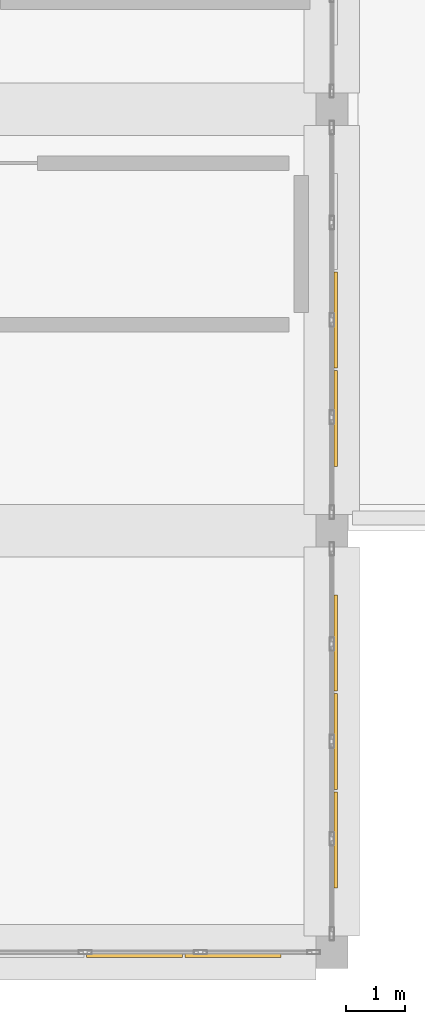
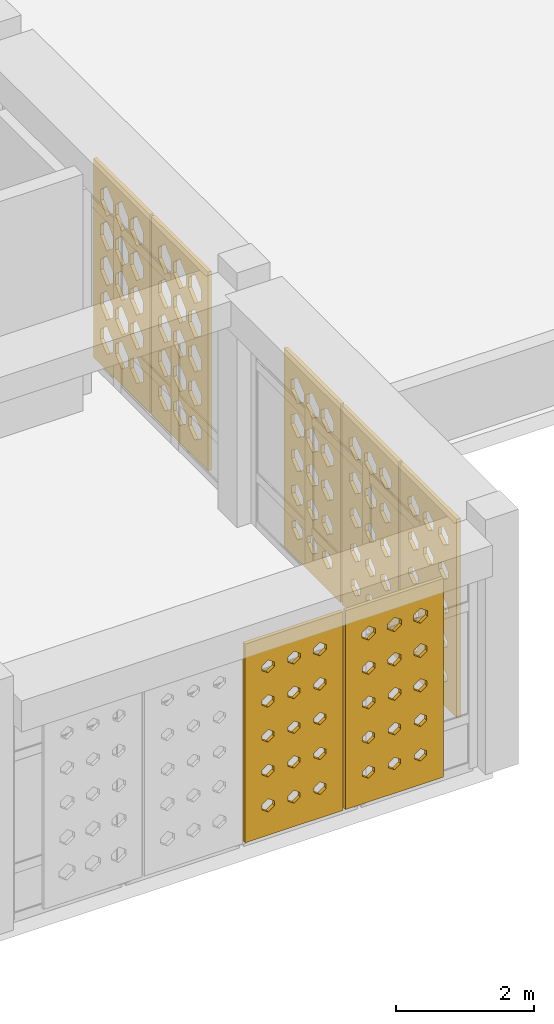
# One storey, part 107 of 111: 7 coverings.
"""IFC4 building model written with IfcOpenShell, lengths in metres."""

from ifc_helpers import new_model, si_unit, derived_unit, direction, frame, origin, place, context, subcontext, project, spatial, polyline, outline, extrude, material, layer, layer_set, type_object, element, save


model = new_model("IFC4")

# Units and contexts
model_context = context("Model", 3, precision=1e-05, world=origin(), true_north=direction((0.0, 1.0)))
body_context = subcontext(model_context, "Body", "Model", "MODEL_VIEW")
ifc_project = project(units=[si_unit("LENGTHUNIT", "METRE"), si_unit("AREAUNIT", "SQUARE_METRE"), si_unit("VOLUMEUNIT", "CUBIC_METRE"), si_unit("PLANEANGLEUNIT", "RADIAN"), si_unit("MASSUNIT", "GRAM", prefix="KILO"), derived_unit("THERMALTRANSMITTANCEUNIT", [(si_unit("POWERUNIT", "WATT"), 1), (si_unit("LENGTHUNIT", "METRE"), -2), (si_unit("THERMODYNAMICTEMPERATUREUNIT", "KELVIN"), -1)])], contexts=[model_context])

# Site, building, storey
site_placement = place(None, origin())
site = spatial("IfcSite", under=ifc_project, at=site_placement, CompositionType="ELEMENT")
building_placement = place(site_placement, origin())
building = spatial("IfcBuilding", under=site, at=building_placement, Name="Veybourne Emporium", CompositionType="ELEMENT")
storey_placement = place(building_placement, frame((0.0, 0.0, 9.89990234375)))
storey = spatial("IfcBuildingStorey", under=building, at=storey_placement, Name="L02", CompositionType="ELEMENT", Elevation=9.89990234375)

# Coverings
ifc_material = material(Name="Warm-White Perforated Aluminium Screen Alloy", Category="aluminium")
ifc_layer_1 = layer(ifc_material, 0.06005859375)
ifc_layer_set_1 = layer_set([ifc_layer_1], Name="Warm-White Perforated Aluminium Screen Alloy")
covering_type_1 = type_object("IfcCoveringType", Name="WaveScreen_SCR-01", PredefinedType="CLADDING", material=ifc_layer_set_1)
covering_1_placement = place(storey_placement, frame((147.827392578125, -0.093994140625, 1.815185546875), z_axis=(0.0, 1.0, 0.0), x_axis=(-1.0, 0.0, 0.0)))
element("IfcCovering", 1, at=covering_1_placement, inside=storey, type_object=covering_type_1, Name="L02 wave-perforated aluminium screen SCR-01 (72C.2)", PredefinedType="CLADDING", context=body_context, shape_type="SweptSolid", body=[
    extrude(outline(polyline([(-0.81982421875, -1.7548828125), (0.81982421875, -1.7548828125), (0.81982421875, 1.7548828125), (-0.81982421875, 1.7548828125), (-0.81982421875, -1.7548828125)]), holes=[polyline([(-0.433349609375, -1.11572265625), (-0.33154296875, -1.1875), (-0.33154296875, -1.268310546875), (-0.433349609375, -1.340087890625), (-0.53515625, -1.268310546875), (-0.53515625, -1.1875), (-0.433349609375, -1.11572265625)]), polyline([(-0.433349609375, -0.50390625), (-0.333251953125, -0.57421875), (-0.333251953125, -0.65380859375), (-0.433349609375, -0.72412109375), (-0.533447265625, -0.65380859375), (-0.533447265625, -0.57421875), (-0.433349609375, -0.50390625)]), polyline([(-0.433349609375, 0.110595703125), (-0.3330078125, 0.039794921875), (-0.3330078125, -0.039794921875), (-0.433349609375, -0.110595703125), (-0.53369140625, -0.039794921875), (-0.53369140625, 0.039794921875), (-0.433349609375, 0.110595703125)]), polyline([(-0.433349609375, 0.727294921875), (-0.330810546875, 0.65478515625), (-0.330810546875, 0.5732421875), (-0.433349609375, 0.500732421875), (-0.535888671875, 0.5732421875), (-0.535888671875, 0.65478515625), (-0.433349609375, 0.727294921875)]), polyline([(-0.433349609375, 1.346435546875), (-0.326416015625, 1.2705078125), (-0.326416015625, 1.185302734375), (-0.433349609375, 1.109619140625), (-0.540283203125, 1.185302734375), (-0.540283203125, 1.2705078125), (-0.433349609375, 1.346435546875)]), polyline([(0.0, -1.114013671875), (0.103271484375, -1.18701171875), (0.103271484375, -1.26904296875), (0.0, -1.342041015625), (-0.103271484375, -1.26904296875), (-0.103271484375, -1.18701171875), (0.0, -1.114013671875)]), polyline([(0.0, -0.503173828125), (0.1005859375, -0.57421875), (0.1005859375, -0.65380859375), (0.0, -0.724853515625), (-0.1005859375, -0.65380859375), (-0.1005859375, -0.57421875), (0.0, -0.503173828125)]), polyline([(0.0, 0.110107421875), (0.10009765625, 0.03955078125), (0.10009765625, -0.03955078125), (0.0, -0.110107421875), (-0.10009765625, -0.03955078125), (-0.10009765625, 0.03955078125), (0.0, 0.110107421875)]), polyline([(0.0, 0.7255859375), (0.101318359375, 0.654296875), (0.101318359375, 0.57373046875), (0.0, 0.502197265625), (-0.101318359375, 0.57373046875), (-0.101318359375, 0.654296875), (0.0, 0.7255859375)]), polyline([(0.0, 1.34375), (0.104736328125, 1.269775390625), (0.104736328125, 1.186279296875), (0.0, 1.1123046875), (-0.104736328125, 1.186279296875), (-0.104736328125, 1.269775390625), (0.0, 1.34375)]), polyline([(0.433349609375, -1.11181640625), (0.538330078125, -1.186279296875), (0.538330078125, -1.269775390625), (0.433349609375, -1.34423828125), (0.328369140625, -1.269775390625), (0.328369140625, -1.186279296875), (0.433349609375, -1.11181640625)]), polyline([(0.433349609375, -0.502197265625), (0.534912109375, -0.57373046875), (0.534912109375, -0.654296875), (0.433349609375, -0.725830078125), (0.331787109375, -0.654296875), (0.331787109375, -0.57373046875), (0.433349609375, -0.502197265625)]), polyline([(0.433349609375, 0.110107421875), (0.533447265625, 0.03955078125), (0.533447265625, -0.03955078125), (0.433349609375, -0.110107421875), (0.333251953125, -0.03955078125), (0.333251953125, 0.03955078125), (0.433349609375, 0.110107421875)]), polyline([(0.433349609375, 0.724609375), (0.533935546875, 0.65380859375), (0.533935546875, 0.57421875), (0.433349609375, 0.50341796875), (0.332763671875, 0.57421875), (0.332763671875, 0.65380859375), (0.433349609375, 0.724609375)]), polyline([(0.433349609375, 1.341552734375), (0.536376953125, 1.268798828125), (0.536376953125, 1.18701171875), (0.433349609375, 1.114501953125), (0.330322265625, 1.18701171875), (0.330322265625, 1.268798828125), (0.433349609375, 1.341552734375)])]), origin(), (0.0, 0.0, 1.0), 0.06005859375),
])
covering_2_placement = place(storey_placement, frame((151.29541015625, 5.280029296875, 1.815185546875), z_axis=(-1.0, 0.0, 0.0), x_axis=(0.0, -1.0, 0.0)))
element("IfcCovering", 2, at=covering_2_placement, inside=storey, type_object=covering_type_1, Name="L02 wave-perforated aluminium screen SCR-01 (73C.1)", PredefinedType="CLADDING", context=body_context, shape_type="SweptSolid", body=[
    extrude(outline(polyline([(-0.81982421875, -1.7548828125), (0.81982421875, -1.7548828125), (0.81982421875, 1.7548828125), (-0.81982421875, 1.7548828125), (-0.81982421875, -1.7548828125)]), holes=[polyline([(-0.433349609375, -1.0537109375), (-0.28076171875, -1.165283203125), (-0.28076171875, -1.290771484375), (-0.433349609375, -1.402099609375), (-0.5859375, -1.290771484375), (-0.5859375, -1.165283203125), (-0.433349609375, -1.0537109375)]), polyline([(-0.433349609375, -0.42578125), (-0.269287109375, -0.546142578125), (-0.269287109375, -0.681884765625), (-0.433349609375, -0.80224609375), (-0.597412109375, -0.681884765625), (-0.597412109375, -0.546142578125), (-0.433349609375, -0.42578125)]), polyline([(-0.433349609375, 0.202392578125), (-0.2578125, 0.072998046875), (-0.2578125, -0.072998046875), (-0.433349609375, -0.202392578125), (-0.60888671875, -0.072998046875), (-0.60888671875, 0.072998046875), (-0.433349609375, 0.202392578125)]), polyline([(-0.433349609375, 0.830322265625), (-0.2470703125, 0.69189453125), (-0.2470703125, 0.5361328125), (-0.433349609375, 0.397705078125), (-0.61962890625, 0.5361328125), (-0.61962890625, 0.69189453125), (-0.433349609375, 0.830322265625)]), polyline([(-0.433349609375, 1.45751953125), (-0.2470703125, 1.310546875), (-0.2470703125, 1.1455078125), (-0.433349609375, 0.99853515625), (-0.61962890625, 1.1455078125), (-0.61962890625, 1.310546875), (-0.433349609375, 1.45751953125)]), polyline([(0.0, -1.06005859375), (0.1474609375, -1.16748046875), (0.1474609375, -1.28857421875), (0.0, -1.39599609375), (-0.1474609375, -1.28857421875), (-0.1474609375, -1.16748046875), (0.0, -1.06005859375)]), polyline([(0.0, -0.43212890625), (0.15869140625, -0.548583984375), (0.15869140625, -0.679443359375), (0.0, -0.7958984375), (-0.15869140625, -0.679443359375), (-0.15869140625, -0.548583984375), (0.0, -0.43212890625)]), polyline([(0.0, 0.196044921875), (0.17041015625, 0.070556640625), (0.17041015625, -0.070556640625), (0.0, -0.196044921875), (-0.17041015625, -0.070556640625), (-0.17041015625, 0.070556640625), (0.0, 0.196044921875)]), polyline([(0.0, 0.82421875), (0.181884765625, 0.689697265625), (0.181884765625, 0.538330078125), (0.0, 0.40380859375), (-0.181884765625, 0.538330078125), (-0.181884765625, 0.689697265625), (0.0, 0.82421875)]), polyline([(0.0, 1.45166015625), (0.186279296875, 1.30859375), (0.186279296875, 1.1474609375), (0.0, 1.00439453125), (-0.186279296875, 1.1474609375), (-0.186279296875, 1.30859375), (0.0, 1.45166015625)]), polyline([(0.433349609375, -1.066162109375), (0.57568359375, -1.169677734375), (0.57568359375, -1.286376953125), (0.433349609375, -1.389892578125), (0.290771484375, -1.286376953125), (0.290771484375, -1.169677734375), (0.433349609375, -1.066162109375)]), polyline([(0.433349609375, -0.4384765625), (0.5869140625, -0.55078125), (0.5869140625, -0.67724609375), (0.433349609375, -0.78955078125), (0.27978515625, -0.67724609375), (0.27978515625, -0.55078125), (0.433349609375, -0.4384765625)]), polyline([(0.433349609375, 0.189697265625), (0.598388671875, 0.068115234375), (0.598388671875, -0.068115234375), (0.433349609375, -0.189697265625), (0.268310546875, -0.068115234375), (0.268310546875, 0.068115234375), (0.433349609375, 0.189697265625)]), polyline([(0.433349609375, 0.817626953125), (0.610107421875, 0.687255859375), (0.610107421875, 0.540771484375), (0.433349609375, 0.410400390625), (0.256591796875, 0.540771484375), (0.256591796875, 0.687255859375), (0.433349609375, 0.817626953125)]), polyline([(0.433349609375, 1.445556640625), (0.61962890625, 1.306396484375), (0.61962890625, 1.149658203125), (0.433349609375, 1.010498046875), (0.2470703125, 1.149658203125), (0.2470703125, 1.306396484375), (0.433349609375, 1.445556640625)])]), origin(), (0.0, 0.0, 1.0), 0.06005859375),
])
ifc_layer_2 = layer(ifc_material, 0.06005859375)
ifc_layer_set_2 = layer_set([ifc_layer_2], Name="Warm-White Perforated Aluminium Screen Alloy")
covering_type_2 = type_object("IfcCoveringType", Name="WaveScreen_SCR-02", PredefinedType="CLADDING", material=ifc_layer_set_2)
covering_3_placement = place(storey_placement, frame((151.29541015625, 3.60009765625, 1.815185546875), z_axis=(-1.0, 0.0, 0.0), x_axis=(0.0, -1.0, 0.0)))
element("IfcCovering", 3, at=covering_3_placement, inside=storey, type_object=covering_type_2, Name="L02 wave-perforated aluminium screen SCR-02 (73C.2)", PredefinedType="CLADDING", context=body_context, shape_type="SweptSolid", body=[
    extrude(outline(polyline([(-0.81982421875, -1.7548828125), (0.81982421875, -1.7548828125), (0.81982421875, 1.7548828125), (-0.81982421875, 1.7548828125), (-0.81982421875, -1.7548828125)]), holes=[polyline([(-0.433349609375, -1.076904296875), (-0.2998046875, -1.173583984375), (-0.2998046875, -1.282470703125), (-0.433349609375, -1.379150390625), (-0.56689453125, -1.282470703125), (-0.56689453125, -1.173583984375), (-0.433349609375, -1.076904296875)]), polyline([(-0.433349609375, -0.4501953125), (-0.289306640625, -0.554931640625), (-0.289306640625, -0.673095703125), (-0.433349609375, -0.77783203125), (-0.577392578125, -0.673095703125), (-0.577392578125, -0.554931640625), (-0.433349609375, -0.4501953125)]), polyline([(-0.433349609375, 0.177490234375), (-0.278076171875, 0.06396484375), (-0.278076171875, -0.06396484375), (-0.433349609375, -0.177490234375), (-0.588623046875, -0.06396484375), (-0.588623046875, 0.06396484375), (-0.433349609375, 0.177490234375)]), polyline([(-0.433349609375, 0.8056640625), (-0.2666015625, 0.68310546875), (-0.2666015625, 0.544921875), (-0.433349609375, 0.42236328125), (-0.60009765625, 0.544921875), (-0.60009765625, 0.68310546875), (-0.433349609375, 0.8056640625)]), polyline([(-0.433349609375, 1.433837890625), (-0.2548828125, 1.302001953125), (-0.2548828125, 1.15380859375), (-0.433349609375, 1.022216796875), (-0.61181640625, 1.15380859375), (-0.61181640625, 1.302001953125), (-0.433349609375, 1.433837890625)]), polyline([(0.0, -1.082275390625), (0.129150390625, -1.175537109375), (0.129150390625, -1.280517578125), (0.0, -1.373779296875), (-0.129150390625, -1.280517578125), (-0.129150390625, -1.175537109375), (0.0, -1.082275390625)]), polyline([(0.0, -0.4560546875), (0.13916015625, -0.55712890625), (0.13916015625, -0.6708984375), (0.0, -0.77197265625), (-0.13916015625, -0.6708984375), (-0.13916015625, -0.55712890625), (0.0, -0.4560546875)]), polyline([(0.0, 0.17138671875), (0.150146484375, 0.061767578125), (0.150146484375, -0.061767578125), (0.0, -0.17138671875), (-0.150146484375, -0.061767578125), (-0.150146484375, 0.061767578125), (0.0, 0.17138671875)]), polyline([(0.0, 0.79931640625), (0.16162109375, 0.6806640625), (0.16162109375, 0.54736328125), (0.0, 0.4287109375), (-0.16162109375, 0.54736328125), (-0.16162109375, 0.6806640625), (0.0, 0.79931640625)]), polyline([(0.0, 1.427490234375), (0.173095703125, 1.2998046875), (0.173095703125, 1.15625), (0.0, 1.028564453125), (-0.173095703125, 1.15625), (-0.173095703125, 1.2998046875), (0.0, 1.427490234375)]), polyline([(0.433349609375, -1.08740234375), (0.558349609375, -1.177490234375), (0.558349609375, -1.278564453125), (0.433349609375, -1.368408203125), (0.308349609375, -1.278564453125), (0.308349609375, -1.177490234375), (0.433349609375, -1.08740234375)]), polyline([(0.433349609375, -0.4619140625), (0.56787109375, -0.55908203125), (0.56787109375, -0.668701171875), (0.433349609375, -0.76611328125), (0.298828125, -0.668701171875), (0.298828125, -0.55908203125), (0.433349609375, -0.4619140625)]), polyline([(0.433349609375, 0.1650390625), (0.57861328125, 0.0595703125), (0.57861328125, -0.0595703125), (0.433349609375, -0.1650390625), (0.2880859375, -0.0595703125), (0.2880859375, 0.0595703125), (0.433349609375, 0.1650390625)]), polyline([(0.433349609375, 0.79296875), (0.589599609375, 0.678466796875), (0.589599609375, 0.549560546875), (0.433349609375, 0.43505859375), (0.277099609375, 0.549560546875), (0.277099609375, 0.678466796875), (0.433349609375, 0.79296875)]), polyline([(0.433349609375, 1.4208984375), (0.601318359375, 1.297607421875), (0.601318359375, 1.158447265625), (0.433349609375, 1.034912109375), (0.265380859375, 1.158447265625), (0.265380859375, 1.297607421875), (0.433349609375, 1.4208984375)])]), origin(), (0.0, 0.0, 1.0), 0.06005859375),
])
ifc_layer_3 = layer(ifc_material, 0.06005859375)
ifc_layer_set_3 = layer_set([ifc_layer_3], Name="Warm-White Perforated Aluminium Screen Alloy")
covering_type_3 = type_object("IfcCoveringType", Name="WaveScreen_SCR-03", PredefinedType="CLADDING", material=ifc_layer_set_3)
covering_4_placement = place(storey_placement, frame((151.29541015625, 1.919921875, 1.815185546875), z_axis=(-1.0, 0.0, 0.0), x_axis=(0.0, -1.0, 0.0)))
element("IfcCovering", 4, at=covering_4_placement, inside=storey, type_object=covering_type_3, Name="L02 wave-perforated aluminium screen SCR-03 (73C.3)", PredefinedType="CLADDING", context=body_context, shape_type="SweptSolid", body=[
    extrude(outline(polyline([(-0.81982421875, -1.7548828125), (0.81982421875, -1.7548828125), (0.81982421875, 1.7548828125), (-0.81982421875, 1.7548828125), (-0.81982421875, -1.7548828125)]), holes=[polyline([(-0.433349609375, -1.09619140625), (-0.315673828125, -1.1806640625), (-0.315673828125, -1.275390625), (-0.433349609375, -1.359619140625), (-0.551025390625, -1.275390625), (-0.551025390625, -1.1806640625), (-0.433349609375, -1.09619140625)]), polyline([(-0.433349609375, -0.4716796875), (-0.306884765625, -0.562744140625), (-0.306884765625, -0.665283203125), (-0.433349609375, -0.756103515625), (-0.5595703125, -0.665283203125), (-0.5595703125, -0.562744140625), (-0.433349609375, -0.4716796875)]), polyline([(-0.433349609375, 0.154052734375), (-0.29736328125, 0.055419921875), (-0.29736328125, -0.055419921875), (-0.433349609375, -0.154052734375), (-0.5693359375, -0.055419921875), (-0.5693359375, 0.055419921875), (-0.433349609375, 0.154052734375)]), polyline([(-0.433349609375, 0.781005859375), (-0.28662109375, 0.67431640625), (-0.28662109375, 0.5537109375), (-0.433349609375, 0.447021484375), (-0.580078125, 0.5537109375), (-0.580078125, 0.67431640625), (-0.433349609375, 0.781005859375)]), polyline([(-0.433349609375, 1.408935546875), (-0.275390625, 1.293212890625), (-0.275390625, 1.162841796875), (-0.433349609375, 1.047119140625), (-0.59130859375, 1.162841796875), (-0.59130859375, 1.293212890625), (-0.433349609375, 1.408935546875)]), polyline([(0.0, -1.100341796875), (0.114501953125, -1.18212890625), (0.114501953125, -1.27392578125), (0.0, -1.355712890625), (-0.114501953125, -1.27392578125), (-0.114501953125, -1.18212890625), (0.0, -1.100341796875)]), polyline([(0.0, -0.476806640625), (0.122314453125, -0.564697265625), (0.122314453125, -0.663330078125), (0.0, -0.751220703125), (-0.122314453125, -0.663330078125), (-0.122314453125, -0.564697265625), (0.0, -0.476806640625)]), polyline([(0.0, 0.1484375), (0.131591796875, 0.053466796875), (0.131591796875, -0.053466796875), (0.0, -0.1484375), (-0.131591796875, -0.053466796875), (-0.131591796875, 0.053466796875), (0.0, 0.1484375)]), polyline([(0.0, 0.775146484375), (0.141845703125, 0.672119140625), (0.141845703125, 0.555908203125), (0.0, 0.452880859375), (-0.141845703125, 0.555908203125), (-0.141845703125, 0.672119140625), (0.0, 0.775146484375)]), polyline([(0.0, 1.402587890625), (0.15283203125, 1.291015625), (0.15283203125, 1.1650390625), (0.0, 1.053466796875), (-0.15283203125, 1.1650390625), (-0.15283203125, 1.291015625), (0.0, 1.402587890625)]), polyline([(0.433349609375, -1.104248046875), (0.544677734375, -1.183349609375), (0.544677734375, -1.272705078125), (0.433349609375, -1.351806640625), (0.322021484375, -1.272705078125), (0.322021484375, -1.183349609375), (0.433349609375, -1.104248046875)]), polyline([(0.433349609375, -0.4814453125), (0.5517578125, -0.56640625), (0.5517578125, -0.66162109375), (0.433349609375, -0.74658203125), (0.314697265625, -0.66162109375), (0.314697265625, -0.56640625), (0.433349609375, -0.4814453125)]), polyline([(0.433349609375, 0.143310546875), (0.560546875, 0.051513671875), (0.560546875, -0.051513671875), (0.433349609375, -0.143310546875), (0.30615234375, -0.051513671875), (0.30615234375, 0.051513671875), (0.433349609375, 0.143310546875)]), polyline([(0.433349609375, 0.769287109375), (0.5703125, 0.669921875), (0.5703125, 0.55810546875), (0.433349609375, 0.458740234375), (0.29638671875, 0.55810546875), (0.29638671875, 0.669921875), (0.433349609375, 0.769287109375)]), polyline([(0.433349609375, 1.396484375), (0.5810546875, 1.28857421875), (0.5810546875, 1.16748046875), (0.433349609375, 1.0595703125), (0.28564453125, 1.16748046875), (0.28564453125, 1.28857421875), (0.433349609375, 1.396484375)])]), origin(), (0.0, 0.0, 1.0), 0.06005859375),
])
covering_5_placement = place(storey_placement, frame((151.297119140625, 10.800048828125, 1.815185546875), z_axis=(-1.0, 0.0, 0.0), x_axis=(0.0, -1.0, 0.0)))
element("IfcCovering", 5, at=covering_5_placement, inside=storey, type_object=covering_type_3, Name="L02 wave-perforated aluminium screen SCR-03 (74C.2)", PredefinedType="CLADDING", context=body_context, shape_type="SweptSolid", body=[
    extrude(outline(polyline([(-0.81982421875, -1.7548828125), (0.81982421875, -1.7548828125), (0.81982421875, 1.7548828125), (-0.81982421875, 1.7548828125), (-0.81982421875, -1.7548828125)]), holes=[polyline([(-0.433349609375, -0.97802734375), (-0.2470703125, -1.137939453125), (-0.2470703125, -1.318115234375), (-0.433349609375, -1.47802734375), (-0.61962890625, -1.318115234375), (-0.61962890625, -1.137939453125), (-0.433349609375, -0.97802734375)]), polyline([(-0.433349609375, -0.354736328125), (-0.2470703125, -0.520751953125), (-0.2470703125, -0.707275390625), (-0.433349609375, -0.873291015625), (-0.61962890625, -0.707275390625), (-0.61962890625, -0.520751953125), (-0.433349609375, -0.354736328125)]), polyline([(-0.433349609375, 0.263916015625), (-0.2470703125, 0.094970703125), (-0.2470703125, -0.094970703125), (-0.433349609375, -0.263916015625), (-0.61962890625, -0.094970703125), (-0.61962890625, 0.094970703125), (-0.433349609375, 0.263916015625)]), polyline([(-0.433349609375, 0.8779296875), (-0.2470703125, 0.708984375), (-0.2470703125, 0.51904296875), (-0.433349609375, 0.35009765625), (-0.61962890625, 0.51904296875), (-0.61962890625, 0.708984375), (-0.433349609375, 0.8779296875)]), polyline([(-0.433349609375, 1.491943359375), (-0.2470703125, 1.322998046875), (-0.2470703125, 1.133056640625), (-0.433349609375, 0.964111328125), (-0.61962890625, 1.133056640625), (-0.61962890625, 1.322998046875), (-0.433349609375, 1.491943359375)]), polyline([(0.0, -0.98291015625), (0.186279296875, -1.1396484375), (0.186279296875, -1.31640625), (0.0, -1.47314453125), (-0.186279296875, -1.31640625), (-0.186279296875, -1.1396484375), (0.0, -0.98291015625)]), polyline([(0.0, -0.358642578125), (0.186279296875, -0.522216796875), (0.186279296875, -0.705810546875), (0.0, -0.869384765625), (-0.186279296875, -0.705810546875), (-0.186279296875, -0.522216796875), (0.0, -0.358642578125)]), polyline([(0.0, 0.263427734375), (0.186279296875, 0.094970703125), (0.186279296875, -0.094970703125), (0.0, -0.263427734375), (-0.186279296875, -0.094970703125), (-0.186279296875, 0.094970703125), (0.0, 0.263427734375)]), polyline([(0.0, 0.8779296875), (0.186279296875, 0.708984375), (0.186279296875, 0.51904296875), (0.0, 0.35009765625), (-0.186279296875, 0.51904296875), (-0.186279296875, 0.708984375), (0.0, 0.8779296875)]), polyline([(0.0, 1.491943359375), (0.186279296875, 1.322998046875), (0.186279296875, 1.133056640625), (0.0, 0.964111328125), (-0.186279296875, 1.133056640625), (-0.186279296875, 1.322998046875), (0.0, 1.491943359375)]), polyline([(0.433349609375, -0.98779296875), (0.61962890625, -1.1416015625), (0.61962890625, -1.314453125), (0.433349609375, -1.468017578125), (0.2470703125, -1.314453125), (0.2470703125, -1.1416015625), (0.433349609375, -0.98779296875)]), polyline([(0.433349609375, -0.363037109375), (0.61962890625, -0.523681640625), (0.61962890625, -0.704345703125), (0.433349609375, -0.864990234375), (0.2470703125, -0.704345703125), (0.2470703125, -0.523681640625), (0.433349609375, -0.363037109375)]), polyline([(0.433349609375, 0.260009765625), (0.61962890625, 0.093505859375), (0.61962890625, -0.093505859375), (0.433349609375, -0.260009765625), (0.2470703125, -0.093505859375), (0.2470703125, 0.093505859375), (0.433349609375, 0.260009765625)]), polyline([(0.433349609375, 0.8779296875), (0.61962890625, 0.708984375), (0.61962890625, 0.51904296875), (0.433349609375, 0.35009765625), (0.2470703125, 0.51904296875), (0.2470703125, 0.708984375), (0.433349609375, 0.8779296875)]), polyline([(0.433349609375, 1.491943359375), (0.61962890625, 1.322998046875), (0.61962890625, 1.133056640625), (0.433349609375, 0.964111328125), (0.2470703125, 1.133056640625), (0.2470703125, 1.322998046875), (0.433349609375, 1.491943359375)])]), origin(), (0.0, 0.0, 1.0), 0.06005859375),
])
ifc_layer_4 = layer(ifc_material, 0.06005859375)
ifc_layer_set_4 = layer_set([ifc_layer_4], Name="Warm-White Perforated Aluminium Screen Alloy")
covering_type_4 = type_object("IfcCoveringType", Name="WaveScreen_SCR-04", PredefinedType="CLADDING", material=ifc_layer_set_4)
covering_6_placement = place(storey_placement, frame((149.507568359375, -0.093994140625, 1.815185546875), z_axis=(0.0, 1.0, 0.0), x_axis=(-1.0, 0.0, 0.0)))
element("IfcCovering", 6, at=covering_6_placement, inside=storey, type_object=covering_type_4, Name="L02 wave-perforated aluminium screen SCR-04 (72C.1)", PredefinedType="CLADDING", context=body_context, shape_type="SweptSolid", body=[
    extrude(outline(polyline([(-0.81982421875, -1.7548828125), (0.81982421875, -1.7548828125), (0.81982421875, 1.7548828125), (-0.81982421875, 1.7548828125), (-0.81982421875, -1.7548828125)]), holes=[polyline([(-0.433349609375, -1.117919921875), (-0.333251953125, -1.188232421875), (-0.333251953125, -1.267578125), (-0.433349609375, -1.338134765625), (-0.533447265625, -1.267578125), (-0.533447265625, -1.188232421875), (-0.433349609375, -1.117919921875)]), polyline([(-0.433349609375, -0.501708984375), (-0.331298828125, -0.573486328125), (-0.331298828125, -0.654541015625), (-0.433349609375, -0.726318359375), (-0.535400390625, -0.654541015625), (-0.535400390625, -0.573486328125), (-0.433349609375, -0.501708984375)]), polyline([(-0.433349609375, 0.116943359375), (-0.32763671875, 0.0419921875), (-0.32763671875, -0.0419921875), (-0.433349609375, -0.116943359375), (-0.5390625, -0.0419921875), (-0.5390625, 0.0419921875), (-0.433349609375, 0.116943359375)]), polyline([(-0.433349609375, 0.73779296875), (-0.322021484375, 0.658447265625), (-0.322021484375, 0.569580078125), (-0.433349609375, 0.490234375), (-0.544677734375, 0.569580078125), (-0.544677734375, 0.658447265625), (-0.433349609375, 0.73779296875)]), polyline([(-0.433349609375, 1.360595703125), (-0.31494140625, 1.275634765625), (-0.31494140625, 1.180419921875), (-0.433349609375, 1.095458984375), (-0.5517578125, 1.180419921875), (-0.5517578125, 1.275634765625), (-0.433349609375, 1.360595703125)]), polyline([(0.0, -1.117919921875), (0.10009765625, -1.1884765625), (0.10009765625, -1.267578125), (0.0, -1.337890625), (-0.10009765625, -1.267578125), (-0.10009765625, -1.1884765625), (0.0, -1.117919921875)]), polyline([(0.0, -0.5029296875), (0.100830078125, -0.573974609375), (0.100830078125, -0.654052734375), (0.0, -0.72509765625), (-0.100830078125, -0.654052734375), (-0.100830078125, -0.573974609375), (0.0, -0.5029296875)]), polyline([(0.0, 0.114501953125), (0.103759765625, 0.041259765625), (0.103759765625, -0.041259765625), (0.0, -0.114501953125), (-0.103759765625, -0.041259765625), (-0.103759765625, 0.041259765625), (0.0, 0.114501953125)]), polyline([(0.0, 0.734375), (0.1083984375, 0.6572265625), (0.1083984375, 0.57080078125), (0.0, 0.49365234375), (-0.1083984375, 0.57080078125), (-0.1083984375, 0.6572265625), (0.0, 0.734375)]), polyline([(0.0, 1.356201171875), (0.114990234375, 1.274169921875), (0.114990234375, 1.181884765625), (0.0, 1.099609375), (-0.114990234375, 1.181884765625), (-0.114990234375, 1.274169921875), (0.0, 1.356201171875)]), polyline([(0.433349609375, -1.11767578125), (0.53369140625, -1.188232421875), (0.53369140625, -1.267578125), (0.433349609375, -1.33837890625), (0.3330078125, -1.267578125), (0.3330078125, -1.188232421875), (0.433349609375, -1.11767578125)]), polyline([(0.433349609375, -0.503662109375), (0.53369140625, -0.57421875), (0.53369140625, -0.65380859375), (0.433349609375, -0.724365234375), (0.3330078125, -0.65380859375), (0.3330078125, -0.57421875), (0.433349609375, -0.503662109375)]), polyline([(0.433349609375, 0.11279296875), (0.535400390625, 0.04052734375), (0.535400390625, -0.04052734375), (0.433349609375, -0.11279296875), (0.3310546875, -0.04052734375), (0.3310546875, 0.04052734375), (0.433349609375, 0.11279296875)]), polyline([(0.433349609375, 0.7314453125), (0.539306640625, 0.65625), (0.539306640625, 0.57177734375), (0.433349609375, 0.49658203125), (0.3271484375, 0.57177734375), (0.3271484375, 0.65625), (0.433349609375, 0.7314453125)]), polyline([(0.433349609375, 1.352294921875), (0.545166015625, 1.272705078125), (0.545166015625, 1.18310546875), (0.433349609375, 1.103515625), (0.321533203125, 1.18310546875), (0.321533203125, 1.272705078125), (0.433349609375, 1.352294921875)])]), origin(), (0.0, 0.0, 1.0), 0.06005859375),
])
covering_7_placement = place(storey_placement, frame((151.297119140625, 9.1201171875, 1.815185546875), z_axis=(-1.0, 0.0, 0.0), x_axis=(0.0, -1.0, 0.0)))
element("IfcCovering", 7, at=covering_7_placement, inside=storey, type_object=covering_type_4, Name="L02 wave-perforated aluminium screen SCR-04 (74C.3)", PredefinedType="CLADDING", context=body_context, shape_type="SweptSolid", body=[
    extrude(outline(polyline([(-0.81982421875, -1.7548828125), (0.81982421875, -1.7548828125), (0.81982421875, 1.7548828125), (-0.81982421875, 1.7548828125), (-0.81982421875, -1.7548828125)]), holes=[polyline([(-0.433349609375, -0.998291015625), (-0.2470703125, -1.145263671875), (-0.2470703125, -1.310791015625), (-0.433349609375, -1.457763671875), (-0.61962890625, -1.310791015625), (-0.61962890625, -1.145263671875), (-0.433349609375, -0.998291015625)]), polyline([(-0.433349609375, -0.372314453125), (-0.2470703125, -0.527099609375), (-0.2470703125, -0.700927734375), (-0.433349609375, -0.855712890625), (-0.61962890625, -0.700927734375), (-0.61962890625, -0.527099609375), (-0.433349609375, -0.372314453125)]), polyline([(-0.433349609375, 0.25244140625), (-0.2470703125, 0.0908203125), (-0.2470703125, -0.0908203125), (-0.433349609375, -0.25244140625), (-0.61962890625, -0.0908203125), (-0.61962890625, 0.0908203125), (-0.433349609375, 0.25244140625)]), polyline([(-0.433349609375, 0.875244140625), (-0.2470703125, 0.7080078125), (-0.2470703125, 0.52001953125), (-0.433349609375, 0.352783203125), (-0.61962890625, 0.52001953125), (-0.61962890625, 0.7080078125), (-0.433349609375, 0.875244140625)]), polyline([(-0.433349609375, 1.491943359375), (-0.2470703125, 1.322998046875), (-0.2470703125, 1.133056640625), (-0.433349609375, 0.964111328125), (-0.61962890625, 1.133056640625), (-0.61962890625, 1.322998046875), (-0.433349609375, 1.491943359375)]), polyline([(0.0, -1.004150390625), (0.186279296875, -1.1474609375), (0.186279296875, -1.30859375), (0.0, -1.451904296875), (-0.186279296875, -1.30859375), (-0.186279296875, -1.1474609375), (0.0, -1.004150390625)]), polyline([(0.0, -0.37744140625), (0.186279296875, -0.52880859375), (0.186279296875, -0.69921875), (0.0, -0.8505859375), (-0.186279296875, -0.69921875), (-0.186279296875, -0.52880859375), (0.0, -0.37744140625)]), polyline([(0.0, 0.247802734375), (0.186279296875, 0.089111328125), (0.186279296875, -0.089111328125), (0.0, -0.247802734375), (-0.186279296875, -0.089111328125), (-0.186279296875, 0.089111328125), (0.0, 0.247802734375)]), polyline([(0.0, 0.871337890625), (0.186279296875, 0.706787109375), (0.186279296875, 0.521240234375), (0.0, 0.356689453125), (-0.186279296875, 0.521240234375), (-0.186279296875, 0.706787109375), (0.0, 0.871337890625)]), polyline([(0.0, 1.491943359375), (0.186279296875, 1.322998046875), (0.186279296875, 1.133056640625), (0.0, 0.964111328125), (-0.186279296875, 1.133056640625), (-0.186279296875, 1.322998046875), (0.0, 1.491943359375)]), polyline([(0.433349609375, -1.01025390625), (0.61962890625, -1.149658203125), (0.61962890625, -1.306396484375), (0.433349609375, -1.44580078125), (0.2470703125, -1.306396484375), (0.2470703125, -1.149658203125), (0.433349609375, -1.01025390625)]), polyline([(0.433349609375, -0.383056640625), (0.61962890625, -0.531005859375), (0.61962890625, -0.697021484375), (0.433349609375, -0.844970703125), (0.2470703125, -0.697021484375), (0.2470703125, -0.531005859375), (0.433349609375, -0.383056640625)]), polyline([(0.433349609375, 0.242919921875), (0.61962890625, 0.08740234375), (0.61962890625, -0.08740234375), (0.433349609375, -0.242919921875), (0.2470703125, -0.08740234375), (0.2470703125, 0.08740234375), (0.433349609375, 0.242919921875)]), polyline([(0.433349609375, 0.8671875), (0.61962890625, 0.705078125), (0.61962890625, 0.522705078125), (0.433349609375, 0.360595703125), (0.2470703125, 0.522705078125), (0.2470703125, 0.705078125), (0.433349609375, 0.8671875)]), polyline([(0.433349609375, 1.489990234375), (0.61962890625, 1.322265625), (0.61962890625, 1.1337890625), (0.433349609375, 0.966064453125), (0.2470703125, 1.1337890625), (0.2470703125, 1.322265625), (0.433349609375, 1.489990234375)])]), origin(), (0.0, 0.0, 1.0), 0.06005859375),
])

save(model, "model.ifc")
